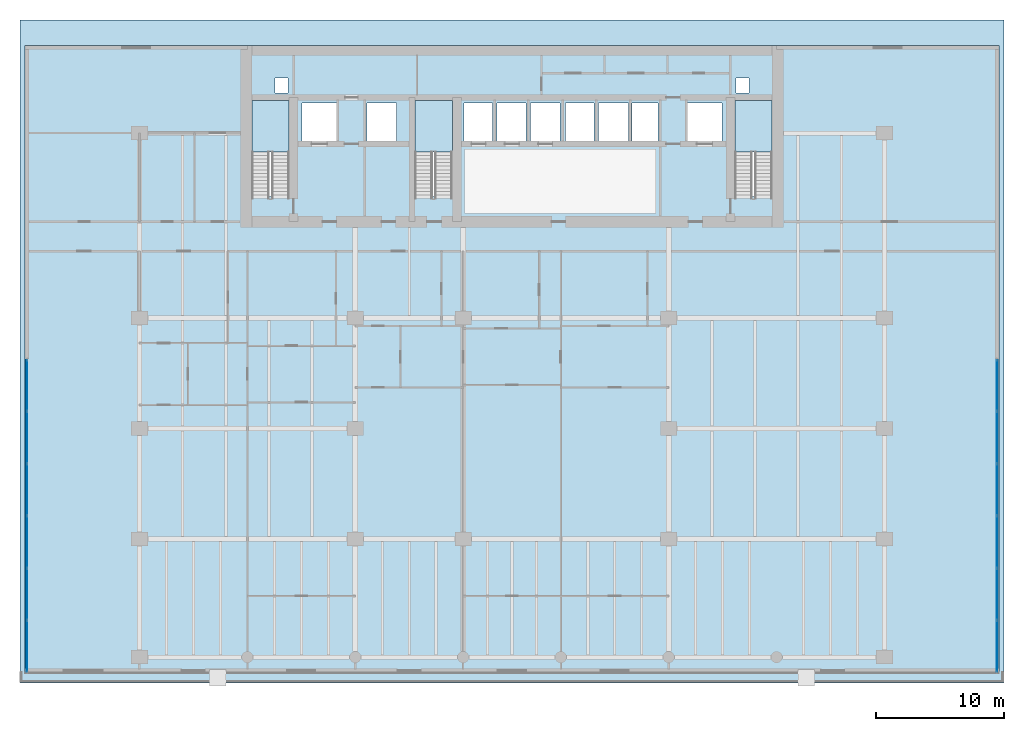
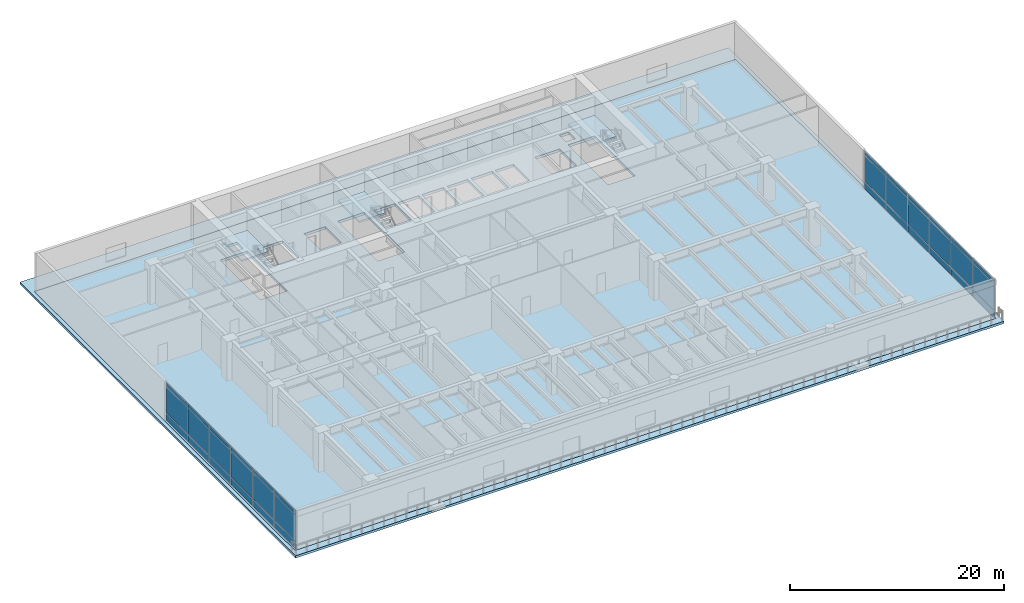
# One storey, part 5 of 14: 36 plates, 5 slabs, 5 elements without a shape of their own.
"""IFC4 building model written with IfcOpenShell, lengths in metres."""

import ifcopenshell
import ifcopenshell.guid

model = None  # the IFC model being written
_history = None  # IfcOwnerHistory: only IFC2X3 demands one
_inside = {}  # id of a spatial element -> (the spatial element, [elements in it])
_under = {}  # id of a project, library or spatial element -> (it, [spatial elements below it])
_declared = {}  # id of a project -> (the project, [libraries it declares])
_typed = {}  # id of a type object -> (the type object, [elements of that type])
_made_of = {}  # id of a material, layer set ... -> (it, [elements and type objects made of it])


def new_model(schema):
    """Start an empty IFC model of exactly this schema.

    Asked for "IFC4X3", IfcOpenShell would pick the latest addendum, in which some entities
    have other attributes; the version numbers below select the first issue.
    IFC2X3 requires an IfcOwnerHistory on every rooted entity: one is made here for all.
    """
    global model, _history
    if schema == "IFC4X3":
        model = ifcopenshell.file(schema_version=(4, 3, 0, 0))
    else:
        model = ifcopenshell.file(schema=schema)
    _inside.clear()
    _under.clear()
    _declared.clear()
    _typed.clear()
    _made_of.clear()
    _history = None
    if model.schema == "IFC2X3":
        org = make("IfcOrganization", Name="unknown")
        user = make(
            "IfcPersonAndOrganization",
            ThePerson=make("IfcPerson", FamilyName="unknown"),
            TheOrganization=org,
        )
        app = make(
            "IfcApplication",
            ApplicationDeveloper=org,
            Version="unknown",
            ApplicationFullName="unknown",
            ApplicationIdentifier="unknown",
        )
        _history = make(
            "IfcOwnerHistory",
            OwningUser=user,
            OwningApplication=app,
            ChangeAction="ADDED",
            CreationDate=0,
        )
    return model


def make(cls, **values):
    """One entity of the class cls with the attributes given. An attribute that is None is left unset."""
    return model.create_entity(
        cls, **{name: value for name, value in values.items() if value is not None}
    )


def rooted(cls, **values):
    """An entity with a GlobalId (a new one), such as an element, a storey or a relation."""
    return make(cls, GlobalId=ifcopenshell.guid.new(), OwnerHistory=_history, **values)


def si_unit(unit_type, name, prefix=None):
    """IfcSIUnit, for example si_unit("LENGTHUNIT", "METRE", prefix="MILLI")."""
    return make("IfcSIUnit", UnitType=unit_type, Prefix=prefix, Name=name)


def assignment(units):
    """IfcUnitAssignment: the units of a project."""
    return None if units is None else make("IfcUnitAssignment", Units=units)


def point(xyz):
    """IfcCartesianPoint."""
    return None if xyz is None else make("IfcCartesianPoint", Coordinates=xyz)


def direction(xyz):
    """IfcDirection."""
    return None if xyz is None else make("IfcDirection", DirectionRatios=xyz)


def frame(location, z_axis=None, x_axis=None):
    """IfcAxis2Placement3D, a coordinate frame: its origin and axes. An axis left out is left unset."""
    return make(
        "IfcAxis2Placement3D",
        Location=point(location),
        Axis=direction(z_axis),
        RefDirection=direction(x_axis),
    )


def frame_2d(location, x_axis=None):
    """IfcAxis2Placement2D, a coordinate frame in the plane: its origin and x axis."""
    return make(
        "IfcAxis2Placement2D", Location=point(location), RefDirection=direction(x_axis)
    )


def origin():
    """The frame at (0, 0, 0) with its axes left unset."""
    return frame((0.0, 0.0, 0.0))


def origin_2d():
    """The frame at (0, 0) in the plane with its x axis left unset."""
    return frame_2d((0.0, 0.0))


def place(relative_to, where):
    """IfcLocalPlacement: puts the frame where relative to a parent placement (None: the world)."""
    return make(
        "IfcLocalPlacement", PlacementRelTo=relative_to, RelativePlacement=where
    )


def context(
    kind, dimensions, precision=None, world=None, true_north=None, identifier=None
):
    """IfcGeometricRepresentationContext, for example the 3D "Model" context."""
    return make(
        "IfcGeometricRepresentationContext",
        ContextIdentifier=identifier,
        ContextType=kind,
        CoordinateSpaceDimension=dimensions,
        Precision=precision,
        WorldCoordinateSystem=world,
        TrueNorth=true_north,
    )


def subcontext(parent, identifier, kind, view, scale=None):
    """IfcGeometricRepresentationSubContext, for example "Body" below "Model"."""
    return make(
        "IfcGeometricRepresentationSubContext",
        ContextIdentifier=identifier,
        ContextType=kind,
        ParentContext=parent,
        TargetScale=scale,
        TargetView=view,
    )


def project(units=None, contexts=None):
    """IfcProject with its units and contexts."""
    return rooted(
        "IfcProject",
        Name="project",
        RepresentationContexts=contexts,
        UnitsInContext=assignment(units),
    )


def spatial(cls, under=None, at=None, **own):
    """A site, building, storey or space (cls), placed at a placement, below another one or the project."""
    s = rooted(cls, ObjectPlacement=at, **own)
    if under is not None:
        _under.setdefault(under.id(), (under, []))[1].append(s)
    return s


def polyline(points):
    """IfcPolyline through the points."""
    return make("IfcPolyline", Points=[point(p) for p in points])


def profile(cls, at=None, kind="AREA", **sizes):
    """A parametric profile (cls). Its sizes go by their IFC names, for example OverallWidth=200.0."""
    return make(cls, ProfileType=kind, Position=at, **sizes)


def rectangle(**sizes):
    """IfcRectangleProfileDef."""
    return profile("IfcRectangleProfileDef", **sizes)


def outline(outer, holes=None, kind="AREA"):
    """IfcArbitraryClosedProfileDef: a profile drawn as a closed curve; with holes, ...WithVoids."""
    if holes is None:
        return make("IfcArbitraryClosedProfileDef", ProfileType=kind, OuterCurve=outer)
    return make(
        "IfcArbitraryProfileDefWithVoids",
        ProfileType=kind,
        OuterCurve=outer,
        InnerCurves=holes,
    )


def extrude(swept, where, along, depth):
    """IfcExtrudedAreaSolid: the profile swept, set in the frame where, extruded along a direction by depth."""
    return make(
        "IfcExtrudedAreaSolid",
        SweptArea=swept,
        Position=where,
        ExtrudedDirection=direction(along),
        Depth=depth,
    )


def shape(context_of_items, identifier, shape_type, items):
    """IfcShapeRepresentation: the items that make up one representation, for example the "Body"."""
    return make(
        "IfcShapeRepresentation",
        ContextOfItems=context_of_items,
        RepresentationIdentifier=identifier,
        RepresentationType=shape_type,
        Items=items,
    )


def material(Name=None, Category=None):
    """IfcMaterial."""
    return make("IfcMaterial", Name=Name, Category=Category)


def layer(
    of_material, thickness, ventilated=None, Name=None, Category=None, Priority=None
):
    """IfcMaterialLayer: one layer of a wall or slab, of a material (None: an air gap)."""
    return make(
        "IfcMaterialLayer",
        Material=of_material,
        LayerThickness=thickness,
        IsVentilated=ventilated,
        Name=Name,
        Category=Category,
        Priority=Priority,
    )


def layer_set(layers, Name=None):
    """IfcMaterialLayerSet."""
    return make("IfcMaterialLayerSet", MaterialLayers=layers, LayerSetName=Name)


def made_of(thing, what):
    """Note that an element or type object is made of a material, layer set ...; save() writes the relation."""
    if what is not None:
        _made_of.setdefault(what.id(), (what, []))[1].append(thing)
    return thing


def type_object(cls, material=None, **own):
    """A type object (cls), such as IfcWallType, which elements share."""
    return made_of(rooted(cls, **own), material)


def element(
    cls,
    number,
    at=None,
    inside=None,
    cuts=None,
    type_object=None,
    material=None,
    context=None,
    identifier="Body",
    shape_type=None,
    held_by="IfcProductDefinitionShape",
    body=None,
    shapes=None,
    **own,
):
    """One element of the class cls, such as IfcWall. Its Tag is "e" and its number.

    at: its placement. inside: the storey or other place that contains it. cuts: it is an
    opening in that element (IfcRelVoidsElement). A single representation is given by context,
    identifier, shape_type and body (its items); several are given by shapes. held_by: the class
    of the entity that holds the representations. save() writes the other relations.
    """
    e = rooted(cls, Tag="e%d" % number, ObjectPlacement=at, **own)
    if body is not None:
        shapes = [shape(context, identifier, shape_type, body)]
    if shapes is not None:
        e.Representation = make(held_by, Representations=shapes)
    if inside is not None:
        _inside.setdefault(inside.id(), (inside, []))[1].append(e)
    if cuts is not None:
        rooted(
            "IfcRelVoidsElement", RelatingBuildingElement=cuts, RelatedOpeningElement=e
        )
    if type_object is not None:
        _typed.setdefault(type_object.id(), (type_object, []))[1].append(e)
    return made_of(e, material)


def aggregate(whole, parts):
    """IfcRelAggregates: a whole, such as a stair, and the parts it consists of."""
    return rooted("IfcRelAggregates", RelatingObject=whole, RelatedObjects=parts)


def save(model, path):
    """Write the relations noted so far, then the file.

    IfcRelAggregates (storeys below a building ...), IfcRelContainedInSpatialStructure (elements
    in a storey), IfcRelDefinesByType, IfcRelAssociatesMaterial and IfcRelDeclares: one each for
    every whole, place, type object, material and project.
    """
    for whole, parts in _under.values():
        aggregate(whole, parts)
    for where, things in _inside.values():
        rooted(
            "IfcRelContainedInSpatialStructure",
            RelatedElements=things,
            RelatingStructure=where,
        )
    for kind, things in _typed.values():
        rooted("IfcRelDefinesByType", RelatedObjects=things, RelatingType=kind)
    for what, things in _made_of.values():
        rooted("IfcRelAssociatesMaterial", RelatedObjects=things, RelatingMaterial=what)
    for by, libraries in _declared.values():
        rooted("IfcRelDeclares", RelatingContext=by, RelatedDefinitions=libraries)
    model.write(path)


model = new_model("IFC4")

# Units and contexts
model_context = context("Model", 3, precision=1e-05, world=origin(), true_north=direction((0.0, 1.0)))
body_context = subcontext(model_context, "Body", "Model", "MODEL_VIEW")
ifc_project = project(units=[si_unit("LENGTHUNIT", "METRE"), si_unit("AREAUNIT", "SQUARE_METRE"), si_unit("VOLUMEUNIT", "CUBIC_METRE"), si_unit("PLANEANGLEUNIT", "RADIAN"), si_unit("MASSUNIT", "GRAM", prefix="KILO")], contexts=[model_context])

# Site, building, storey
site_placement = place(None, origin())
site = spatial("IfcSite", under=ifc_project, at=site_placement, CompositionType="ELEMENT")
building_placement = place(site_placement, origin())
building = spatial("IfcBuilding", under=site, at=building_placement, Name="Caelmar Bay Residences", CompositionType="ELEMENT")
storey_placement = place(building_placement, frame((0.0, 0.0, 15.0)))
storey = spatial("IfcBuildingStorey", under=building, at=storey_placement, Name="L03", CompositionType="ELEMENT", Elevation=15.0)

# Curtain wall, plates
ifc_material_1 = material(Name="Anodised bronze aluminium 6063-T6 and laminated glass", Category="aluminium")
ifc_layer_1 = layer(ifc_material_1, 0.179931640625)
ifc_layer_set_1 = layer_set([ifc_layer_1], Name="Anodised bronze aluminium 6063-T6 and laminated glass")
curtain_wall_type = type_object("IfcCurtainWallType", Name="CW1-POD", PredefinedType="NOTDEFINED", material=ifc_layer_set_1)
curtain_wall_1_placement = place(storey_placement, origin())
curtain_wall_1 = element("IfcCurtainWall", 1, at=curtain_wall_1_placement, inside=storey, type_object=curtain_wall_type, Name="CW1 curtain wall L03", PredefinedType="NOTDEFINED")
ifc_material_2 = material(Name="Bronze-tinted laminated low-E hurricane glass 32 mm", Category="glass")
ifc_layer_2 = layer(ifc_material_2, 0.031982421875)
ifc_layer_set_2 = layer_set([ifc_layer_2], Name="Bronze-tinted laminated low-E hurricane glass 32 mm")
plate_type = type_object("IfcPlateType", Name="CWP-GLZ32", PredefinedType="CURTAIN_PANEL", material=ifc_layer_set_2)
plate_1_placement = place(storey_placement, frame((1.14990234375, 3.853271484375, 0.080078125), z_axis=(0.0, 0.0, 1.0), x_axis=(0.0, 1.0, 0.0)))
plate_1 = element("IfcPlate", 2, at=plate_1_placement, type_object=plate_type, Name="CW1 panel 1.1", PredefinedType="CURTAIN_PANEL", context=body_context, shape_type="SweptSolid", body=[
    extrude(rectangle(XDim=3.94677734375, YDim=0.031982421875, at=origin_2d()), origin(), (0.0, 0.0, 1.0), 0.780029296875),
])
plate_2_placement = place(storey_placement, frame((1.14990234375, 3.853271484375, 0.93994140625), z_axis=(0.0, 0.0, 1.0), x_axis=(0.0, 1.0, 0.0)))
plate_2 = element("IfcPlate", 3, at=plate_2_placement, type_object=plate_type, Name="CW1 panel 1.2", PredefinedType="CURTAIN_PANEL", context=body_context, shape_type="SweptSolid", body=[
    extrude(rectangle(XDim=3.94677734375, YDim=0.031982421875, at=origin_2d()), origin(), (0.0, 0.0, 1.0), 2.969970703125),
])
plate_3_placement = place(storey_placement, frame((1.14990234375, 3.853271484375, 3.990234375), z_axis=(0.0, 0.0, 1.0), x_axis=(0.0, 1.0, 0.0)))
plate_3 = element("IfcPlate", 4, at=plate_3_placement, type_object=plate_type, Name="CW1 panel 1.3", PredefinedType="CURTAIN_PANEL", context=body_context, shape_type="SweptSolid", body=[
    extrude(rectangle(XDim=3.94677734375, YDim=0.031982421875, at=origin_2d()), origin(), (0.0, 0.0, 1.0), 0.429931640625),
])
plate_4_placement = place(storey_placement, frame((1.14990234375, 7.89990234375, 0.080078125), z_axis=(0.0, 0.0, 1.0), x_axis=(0.0, 1.0, 0.0)))
plate_4 = element("IfcPlate", 5, at=plate_4_placement, type_object=plate_type, Name="CW1 panel 2.1", PredefinedType="CURTAIN_PANEL", context=body_context, shape_type="SweptSolid", body=[
    extrude(rectangle(XDim=3.986572265625, YDim=0.031982421875, at=origin_2d()), origin(), (0.0, 0.0, 1.0), 0.780029296875),
])
plate_5_placement = place(storey_placement, frame((1.14990234375, 7.89990234375, 0.93994140625), z_axis=(0.0, 0.0, 1.0), x_axis=(0.0, 1.0, 0.0)))
plate_5 = element("IfcPlate", 6, at=plate_5_placement, type_object=plate_type, Name="CW1 panel 2.2", PredefinedType="CURTAIN_PANEL", context=body_context, shape_type="SweptSolid", body=[
    extrude(rectangle(XDim=3.986572265625, YDim=0.031982421875, at=origin_2d()), origin(), (0.0, 0.0, 1.0), 2.969970703125),
])
plate_6_placement = place(storey_placement, frame((1.14990234375, 7.89990234375, 3.990234375), z_axis=(0.0, 0.0, 1.0), x_axis=(0.0, 1.0, 0.0)))
plate_6 = element("IfcPlate", 7, at=plate_6_placement, type_object=plate_type, Name="CW1 panel 2.3", PredefinedType="CURTAIN_PANEL", context=body_context, shape_type="SweptSolid", body=[
    extrude(rectangle(XDim=3.986572265625, YDim=0.031982421875, at=origin_2d()), origin(), (0.0, 0.0, 1.0), 0.429931640625),
])
plate_7_placement = place(storey_placement, frame((1.14990234375, 11.966552734375, 0.080078125), z_axis=(0.0, 0.0, 1.0), x_axis=(0.0, 1.0, 0.0)))
plate_7 = element("IfcPlate", 8, at=plate_7_placement, type_object=plate_type, Name="CW1 panel 3.1", PredefinedType="CURTAIN_PANEL", context=body_context, shape_type="SweptSolid", body=[
    extrude(rectangle(XDim=3.986572265625, YDim=0.031982421875, at=origin_2d()), origin(), (0.0, 0.0, 1.0), 0.780029296875),
])
plate_8_placement = place(storey_placement, frame((1.14990234375, 11.966552734375, 0.93994140625), z_axis=(0.0, 0.0, 1.0), x_axis=(0.0, 1.0, 0.0)))
plate_8 = element("IfcPlate", 9, at=plate_8_placement, type_object=plate_type, Name="CW1 panel 3.2", PredefinedType="CURTAIN_PANEL", context=body_context, shape_type="SweptSolid", body=[
    extrude(rectangle(XDim=3.986572265625, YDim=0.031982421875, at=origin_2d()), origin(), (0.0, 0.0, 1.0), 2.969970703125),
])
plate_9_placement = place(storey_placement, frame((1.14990234375, 11.966552734375, 3.990234375), z_axis=(0.0, 0.0, 1.0), x_axis=(0.0, 1.0, 0.0)))
plate_9 = element("IfcPlate", 10, at=plate_9_placement, type_object=plate_type, Name="CW1 panel 3.3", PredefinedType="CURTAIN_PANEL", context=body_context, shape_type="SweptSolid", body=[
    extrude(rectangle(XDim=3.986572265625, YDim=0.031982421875, at=origin_2d()), origin(), (0.0, 0.0, 1.0), 0.429931640625),
])
plate_10_placement = place(storey_placement, frame((1.14990234375, 16.033447265625, 0.080078125), z_axis=(0.0, 0.0, 1.0), x_axis=(0.0, 1.0, 0.0)))
plate_10 = element("IfcPlate", 11, at=plate_10_placement, type_object=plate_type, Name="CW1 panel 4.1", PredefinedType="CURTAIN_PANEL", context=body_context, shape_type="SweptSolid", body=[
    extrude(rectangle(XDim=3.986572265625, YDim=0.031982421875, at=origin_2d()), origin(), (0.0, 0.0, 1.0), 0.780029296875),
])
plate_11_placement = place(storey_placement, frame((1.14990234375, 16.033447265625, 0.93994140625), z_axis=(0.0, 0.0, 1.0), x_axis=(0.0, 1.0, 0.0)))
plate_11 = element("IfcPlate", 12, at=plate_11_placement, type_object=plate_type, Name="CW1 panel 4.2", PredefinedType="CURTAIN_PANEL", context=body_context, shape_type="SweptSolid", body=[
    extrude(rectangle(XDim=3.986572265625, YDim=0.031982421875, at=origin_2d()), origin(), (0.0, 0.0, 1.0), 2.969970703125),
])
plate_12_placement = place(storey_placement, frame((1.14990234375, 16.033447265625, 3.990234375), z_axis=(0.0, 0.0, 1.0), x_axis=(0.0, 1.0, 0.0)))
plate_12 = element("IfcPlate", 13, at=plate_12_placement, type_object=plate_type, Name="CW1 panel 4.3", PredefinedType="CURTAIN_PANEL", context=body_context, shape_type="SweptSolid", body=[
    extrude(rectangle(XDim=3.986572265625, YDim=0.031982421875, at=origin_2d()), origin(), (0.0, 0.0, 1.0), 0.429931640625),
])
plate_13_placement = place(storey_placement, frame((1.14990234375, 20.10009765625, 0.080078125), z_axis=(0.0, 0.0, 1.0), x_axis=(0.0, 1.0, 0.0)))
plate_13 = element("IfcPlate", 14, at=plate_13_placement, type_object=plate_type, Name="CW1 panel 5.1", PredefinedType="CURTAIN_PANEL", context=body_context, shape_type="SweptSolid", body=[
    extrude(rectangle(XDim=3.986572265625, YDim=0.031982421875, at=origin_2d()), origin(), (0.0, 0.0, 1.0), 0.780029296875),
])
plate_14_placement = place(storey_placement, frame((1.14990234375, 20.10009765625, 0.93994140625), z_axis=(0.0, 0.0, 1.0), x_axis=(0.0, 1.0, 0.0)))
plate_14 = element("IfcPlate", 15, at=plate_14_placement, type_object=plate_type, Name="CW1 panel 5.2", PredefinedType="CURTAIN_PANEL", context=body_context, shape_type="SweptSolid", body=[
    extrude(rectangle(XDim=3.986572265625, YDim=0.031982421875, at=origin_2d()), origin(), (0.0, 0.0, 1.0), 2.969970703125),
])
plate_15_placement = place(storey_placement, frame((1.14990234375, 20.10009765625, 3.990234375), z_axis=(0.0, 0.0, 1.0), x_axis=(0.0, 1.0, 0.0)))
plate_15 = element("IfcPlate", 16, at=plate_15_placement, type_object=plate_type, Name="CW1 panel 5.3", PredefinedType="CURTAIN_PANEL", context=body_context, shape_type="SweptSolid", body=[
    extrude(rectangle(XDim=3.986572265625, YDim=0.031982421875, at=origin_2d()), origin(), (0.0, 0.0, 1.0), 0.429931640625),
])
plate_16_placement = place(storey_placement, frame((1.14990234375, 24.146728515625, 0.080078125), z_axis=(0.0, 0.0, 1.0), x_axis=(0.0, 1.0, 0.0)))
plate_16 = element("IfcPlate", 17, at=plate_16_placement, type_object=plate_type, Name="CW1 panel 6.1", PredefinedType="CURTAIN_PANEL", context=body_context, shape_type="SweptSolid", body=[
    extrude(rectangle(XDim=3.94677734375, YDim=0.031982421875, at=origin_2d()), origin(), (0.0, 0.0, 1.0), 0.780029296875),
])
plate_17_placement = place(storey_placement, frame((1.14990234375, 24.146728515625, 0.93994140625), z_axis=(0.0, 0.0, 1.0), x_axis=(0.0, 1.0, 0.0)))
plate_17 = element("IfcPlate", 18, at=plate_17_placement, type_object=plate_type, Name="CW1 panel 6.2", PredefinedType="CURTAIN_PANEL", context=body_context, shape_type="SweptSolid", body=[
    extrude(rectangle(XDim=3.94677734375, YDim=0.031982421875, at=origin_2d()), origin(), (0.0, 0.0, 1.0), 2.969970703125),
])
plate_18_placement = place(storey_placement, frame((1.14990234375, 24.146728515625, 3.990234375), z_axis=(0.0, 0.0, 1.0), x_axis=(0.0, 1.0, 0.0)))
plate_18 = element("IfcPlate", 19, at=plate_18_placement, type_object=plate_type, Name="CW1 panel 6.3", PredefinedType="CURTAIN_PANEL", context=body_context, shape_type="SweptSolid", body=[
    extrude(rectangle(XDim=3.94677734375, YDim=0.031982421875, at=origin_2d()), origin(), (0.0, 0.0, 1.0), 0.429931640625),
])
aggregate(curtain_wall_1, [plate_1, plate_2, plate_3, plate_4, plate_5, plate_6, plate_7, plate_8, plate_9, plate_10, plate_11, plate_12, plate_13, plate_14, plate_15, plate_16, plate_17, plate_18])

curtain_wall_2_placement = place(storey_placement, origin())
curtain_wall_2 = element("IfcCurtainWall", 20, at=curtain_wall_2_placement, inside=storey, type_object=curtain_wall_type, Name="CW1 curtain wall L03", PredefinedType="NOTDEFINED")
plate_19_placement = place(storey_placement, frame((76.64990234375, 24.146728515625, 0.080078125), z_axis=(0.0, 0.0, 1.0), x_axis=(0.0, -1.0, 0.0)))
plate_19 = element("IfcPlate", 21, at=plate_19_placement, type_object=plate_type, Name="CW1 panel 1.1", PredefinedType="CURTAIN_PANEL", context=body_context, shape_type="SweptSolid", body=[
    extrude(rectangle(XDim=3.94677734375, YDim=0.031982421875, at=origin_2d()), origin(), (0.0, 0.0, 1.0), 0.780029296875),
])
plate_20_placement = place(storey_placement, frame((76.64990234375, 24.146728515625, 0.93994140625), z_axis=(0.0, 0.0, 1.0), x_axis=(0.0, -1.0, 0.0)))
plate_20 = element("IfcPlate", 22, at=plate_20_placement, type_object=plate_type, Name="CW1 panel 1.2", PredefinedType="CURTAIN_PANEL", context=body_context, shape_type="SweptSolid", body=[
    extrude(rectangle(XDim=3.94677734375, YDim=0.031982421875, at=origin_2d()), origin(), (0.0, 0.0, 1.0), 2.969970703125),
])
plate_21_placement = place(storey_placement, frame((76.64990234375, 24.146728515625, 3.990234375), z_axis=(0.0, 0.0, 1.0), x_axis=(0.0, -1.0, 0.0)))
plate_21 = element("IfcPlate", 23, at=plate_21_placement, type_object=plate_type, Name="CW1 panel 1.3", PredefinedType="CURTAIN_PANEL", context=body_context, shape_type="SweptSolid", body=[
    extrude(rectangle(XDim=3.94677734375, YDim=0.031982421875, at=origin_2d()), origin(), (0.0, 0.0, 1.0), 0.429931640625),
])
plate_22_placement = place(storey_placement, frame((76.64990234375, 20.10009765625, 0.080078125), z_axis=(0.0, 0.0, 1.0), x_axis=(0.0, -1.0, 0.0)))
plate_22 = element("IfcPlate", 24, at=plate_22_placement, type_object=plate_type, Name="CW1 panel 2.1", PredefinedType="CURTAIN_PANEL", context=body_context, shape_type="SweptSolid", body=[
    extrude(rectangle(XDim=3.986572265625, YDim=0.031982421875, at=origin_2d()), origin(), (0.0, 0.0, 1.0), 0.780029296875),
])
plate_23_placement = place(storey_placement, frame((76.64990234375, 20.10009765625, 0.93994140625), z_axis=(0.0, 0.0, 1.0), x_axis=(0.0, -1.0, 0.0)))
plate_23 = element("IfcPlate", 25, at=plate_23_placement, type_object=plate_type, Name="CW1 panel 2.2", PredefinedType="CURTAIN_PANEL", context=body_context, shape_type="SweptSolid", body=[
    extrude(rectangle(XDim=3.986572265625, YDim=0.031982421875, at=origin_2d()), origin(), (0.0, 0.0, 1.0), 2.969970703125),
])
plate_24_placement = place(storey_placement, frame((76.64990234375, 20.10009765625, 3.990234375), z_axis=(0.0, 0.0, 1.0), x_axis=(0.0, -1.0, 0.0)))
plate_24 = element("IfcPlate", 26, at=plate_24_placement, type_object=plate_type, Name="CW1 panel 2.3", PredefinedType="CURTAIN_PANEL", context=body_context, shape_type="SweptSolid", body=[
    extrude(rectangle(XDim=3.986572265625, YDim=0.031982421875, at=origin_2d()), origin(), (0.0, 0.0, 1.0), 0.429931640625),
])
plate_25_placement = place(storey_placement, frame((76.64990234375, 16.033447265625, 0.080078125), z_axis=(0.0, 0.0, 1.0), x_axis=(0.0, -1.0, 0.0)))
plate_25 = element("IfcPlate", 27, at=plate_25_placement, type_object=plate_type, Name="CW1 panel 3.1", PredefinedType="CURTAIN_PANEL", context=body_context, shape_type="SweptSolid", body=[
    extrude(rectangle(XDim=3.986572265625, YDim=0.031982421875, at=origin_2d()), origin(), (0.0, 0.0, 1.0), 0.780029296875),
])
plate_26_placement = place(storey_placement, frame((76.64990234375, 16.033447265625, 0.93994140625), z_axis=(0.0, 0.0, 1.0), x_axis=(0.0, -1.0, 0.0)))
plate_26 = element("IfcPlate", 28, at=plate_26_placement, type_object=plate_type, Name="CW1 panel 3.2", PredefinedType="CURTAIN_PANEL", context=body_context, shape_type="SweptSolid", body=[
    extrude(rectangle(XDim=3.986572265625, YDim=0.031982421875, at=origin_2d()), origin(), (0.0, 0.0, 1.0), 2.969970703125),
])
plate_27_placement = place(storey_placement, frame((76.64990234375, 16.033447265625, 3.990234375), z_axis=(0.0, 0.0, 1.0), x_axis=(0.0, -1.0, 0.0)))
plate_27 = element("IfcPlate", 29, at=plate_27_placement, type_object=plate_type, Name="CW1 panel 3.3", PredefinedType="CURTAIN_PANEL", context=body_context, shape_type="SweptSolid", body=[
    extrude(rectangle(XDim=3.986572265625, YDim=0.031982421875, at=origin_2d()), origin(), (0.0, 0.0, 1.0), 0.429931640625),
])
plate_28_placement = place(storey_placement, frame((76.64990234375, 11.966552734375, 0.080078125), z_axis=(0.0, 0.0, 1.0), x_axis=(0.0, -1.0, 0.0)))
plate_28 = element("IfcPlate", 30, at=plate_28_placement, type_object=plate_type, Name="CW1 panel 4.1", PredefinedType="CURTAIN_PANEL", context=body_context, shape_type="SweptSolid", body=[
    extrude(rectangle(XDim=3.986572265625, YDim=0.031982421875, at=origin_2d()), origin(), (0.0, 0.0, 1.0), 0.780029296875),
])
plate_29_placement = place(storey_placement, frame((76.64990234375, 11.966552734375, 0.93994140625), z_axis=(0.0, 0.0, 1.0), x_axis=(0.0, -1.0, 0.0)))
plate_29 = element("IfcPlate", 31, at=plate_29_placement, type_object=plate_type, Name="CW1 panel 4.2", PredefinedType="CURTAIN_PANEL", context=body_context, shape_type="SweptSolid", body=[
    extrude(rectangle(XDim=3.986572265625, YDim=0.031982421875, at=origin_2d()), origin(), (0.0, 0.0, 1.0), 2.969970703125),
])
plate_30_placement = place(storey_placement, frame((76.64990234375, 11.966552734375, 3.990234375), z_axis=(0.0, 0.0, 1.0), x_axis=(0.0, -1.0, 0.0)))
plate_30 = element("IfcPlate", 32, at=plate_30_placement, type_object=plate_type, Name="CW1 panel 4.3", PredefinedType="CURTAIN_PANEL", context=body_context, shape_type="SweptSolid", body=[
    extrude(rectangle(XDim=3.986572265625, YDim=0.031982421875, at=origin_2d()), origin(), (0.0, 0.0, 1.0), 0.429931640625),
])
plate_31_placement = place(storey_placement, frame((76.64990234375, 7.89990234375, 0.080078125), z_axis=(0.0, 0.0, 1.0), x_axis=(0.0, -1.0, 0.0)))
plate_31 = element("IfcPlate", 33, at=plate_31_placement, type_object=plate_type, Name="CW1 panel 5.1", PredefinedType="CURTAIN_PANEL", context=body_context, shape_type="SweptSolid", body=[
    extrude(rectangle(XDim=3.986572265625, YDim=0.031982421875, at=origin_2d()), origin(), (0.0, 0.0, 1.0), 0.780029296875),
])
plate_32_placement = place(storey_placement, frame((76.64990234375, 7.89990234375, 0.93994140625), z_axis=(0.0, 0.0, 1.0), x_axis=(0.0, -1.0, 0.0)))
plate_32 = element("IfcPlate", 34, at=plate_32_placement, type_object=plate_type, Name="CW1 panel 5.2", PredefinedType="CURTAIN_PANEL", context=body_context, shape_type="SweptSolid", body=[
    extrude(rectangle(XDim=3.986572265625, YDim=0.031982421875, at=origin_2d()), origin(), (0.0, 0.0, 1.0), 2.969970703125),
])
plate_33_placement = place(storey_placement, frame((76.64990234375, 7.89990234375, 3.990234375), z_axis=(0.0, 0.0, 1.0), x_axis=(0.0, -1.0, 0.0)))
plate_33 = element("IfcPlate", 35, at=plate_33_placement, type_object=plate_type, Name="CW1 panel 5.3", PredefinedType="CURTAIN_PANEL", context=body_context, shape_type="SweptSolid", body=[
    extrude(rectangle(XDim=3.986572265625, YDim=0.031982421875, at=origin_2d()), origin(), (0.0, 0.0, 1.0), 0.429931640625),
])
plate_34_placement = place(storey_placement, frame((76.64990234375, 3.853271484375, 0.080078125), z_axis=(0.0, 0.0, 1.0), x_axis=(0.0, -1.0, 0.0)))
plate_34 = element("IfcPlate", 36, at=plate_34_placement, type_object=plate_type, Name="CW1 panel 6.1", PredefinedType="CURTAIN_PANEL", context=body_context, shape_type="SweptSolid", body=[
    extrude(rectangle(XDim=3.94677734375, YDim=0.031982421875, at=origin_2d()), origin(), (0.0, 0.0, 1.0), 0.780029296875),
])
plate_35_placement = place(storey_placement, frame((76.64990234375, 3.853271484375, 0.93994140625), z_axis=(0.0, 0.0, 1.0), x_axis=(0.0, -1.0, 0.0)))
plate_35 = element("IfcPlate", 37, at=plate_35_placement, type_object=plate_type, Name="CW1 panel 6.2", PredefinedType="CURTAIN_PANEL", context=body_context, shape_type="SweptSolid", body=[
    extrude(rectangle(XDim=3.94677734375, YDim=0.031982421875, at=origin_2d()), origin(), (0.0, 0.0, 1.0), 2.969970703125),
])
plate_36_placement = place(storey_placement, frame((76.64990234375, 3.853271484375, 3.990234375), z_axis=(0.0, 0.0, 1.0), x_axis=(0.0, -1.0, 0.0)))
plate_36 = element("IfcPlate", 38, at=plate_36_placement, type_object=plate_type, Name="CW1 panel 6.3", PredefinedType="CURTAIN_PANEL", context=body_context, shape_type="SweptSolid", body=[
    extrude(rectangle(XDim=3.94677734375, YDim=0.031982421875, at=origin_2d()), origin(), (0.0, 0.0, 1.0), 0.429931640625),
])
aggregate(curtain_wall_2, [plate_19, plate_20, plate_21, plate_22, plate_23, plate_24, plate_25, plate_26, plate_27, plate_28, plate_29, plate_30, plate_31, plate_32, plate_33, plate_34, plate_35, plate_36])

# Stair, slab
ifc_material_3 = material(Name="Concrete f'c 40 MPa (6,000 psi)", Category="concrete")
stair_type = type_object("IfcStairType", Name="ST-TAL-170", PredefinedType="HALF_TURN_STAIR", material=ifc_material_3)
stair_1_placement = place(storey_placement, origin())
stair_1 = element("IfcStair", 39, at=stair_1_placement, inside=storey, type_object=stair_type, Name="L03 West Smokeproof Exit Stair ST1", PredefinedType="HALF_TURN_STAIR")
ifc_layer_3 = layer(ifc_material_3, 0.199951171875)
ifc_layer_set_3 = layer_set([ifc_layer_3], Name="Concrete f'c 40 MPa (6,000 psi)")
slab_type_1 = type_object("IfcSlabType", Name="SLB-LND-200", PredefinedType="LANDING", material=ifc_layer_set_3)
slab_1_placement = place(storey_placement, frame((0.0, 0.0, 2.199951171875)))
slab_1 = element("IfcSlab", 40, at=slab_1_placement, type_object=slab_type_1, Name="ST1 landing 1", PredefinedType="LANDING", context=body_context, shape_type="SweptSolid", body=[
    extrude(outline(polyline([(21.550048828125, 42.340087890625), (21.550048828125, 46.35009765625), (18.64990234375, 46.35009765625), (18.64990234375, 42.340087890625), (21.550048828125, 42.340087890625)])), origin(), (0.0, 0.0, 1.0), 0.199951171875),
])
aggregate(stair_1, [slab_1])

stair_2_placement = place(storey_placement, origin())
stair_2 = element("IfcStair", 41, at=stair_2_placement, inside=storey, type_object=stair_type, Name="L03 East Smokeproof Exit Stair ST2", PredefinedType="HALF_TURN_STAIR")
slab_2_placement = place(storey_placement, frame((0.0, 0.0, 2.199951171875)))
slab_2 = element("IfcSlab", 42, at=slab_2_placement, type_object=slab_type_1, Name="ST2 landing 1", PredefinedType="LANDING", context=body_context, shape_type="SweptSolid", body=[
    extrude(outline(polyline([(59.14990234375, 42.340087890625), (59.14990234375, 46.35009765625), (56.25, 46.35009765625), (56.25, 42.340087890625), (59.14990234375, 42.340087890625)])), origin(), (0.0, 0.0, 1.0), 0.199951171875),
])
aggregate(stair_2, [slab_2])

stair_3_placement = place(storey_placement, origin())
stair_3 = element("IfcStair", 43, at=stair_3_placement, inside=storey, type_object=stair_type, Name="L03 Central Smokeproof Exit Stair ST3", PredefinedType="HALF_TURN_STAIR")
slab_3_placement = place(storey_placement, frame((0.0, 0.0, 2.199951171875)))
slab_3 = element("IfcSlab", 44, at=slab_3_placement, type_object=slab_type_1, Name="ST3 landing 1", PredefinedType="LANDING", context=body_context, shape_type="SweptSolid", body=[
    extrude(outline(polyline([(34.25, 42.340087890625), (34.25, 46.35009765625), (31.35009765625, 46.35009765625), (31.35009765625, 42.340087890625), (34.25, 42.340087890625)])), origin(), (0.0, 0.0, 1.0), 0.199951171875),
])
aggregate(stair_3, [slab_3])

# Slabs
ifc_layer_4 = layer(ifc_material_3, 0.300048828125)
ifc_layer_set_4 = layer_set([ifc_layer_4], Name="Concrete f'c 40 MPa (6,000 psi)")
slab_type_2 = type_object("IfcSlabType", Name="SLB-POD-300", PredefinedType="FLOOR", material=ifc_layer_set_4)
slab_4_placement = place(storey_placement, frame((0.0, 0.0, -0.300048828125)))
element("IfcSlab", 45, at=slab_4_placement, inside=storey, type_object=slab_type_2, Name="L03 Structural Floor Slab", PredefinedType="FLOOR", context=body_context, shape_type="SweptSolid", body=[
    extrude(outline(polyline([(1.0, 1.800048828125), (76.800048828125, 1.800048828125), (76.800048828125, 50.60009765625), (1.0, 50.60009765625), (1.0, 1.800048828125)]), holes=[polyline([(18.64990234375, 38.85009765625), (21.550048828125, 38.85009765625), (21.550048828125, 46.35009765625), (18.64990234375, 46.35009765625), (18.64990234375, 38.85009765625)]), polyline([(56.25, 38.85009765625), (59.14990234375, 38.85009765625), (59.14990234375, 46.35009765625), (56.25, 46.35009765625), (56.25, 38.85009765625)]), polyline([(31.35009765625, 38.85009765625), (34.25, 38.85009765625), (34.25, 46.35009765625), (31.35009765625, 46.35009765625), (31.35009765625, 38.85009765625)]), polyline([(22.550048828125, 43.050048828125), (25.25, 43.050048828125), (25.25, 46.14990234375), (22.550048828125, 46.14990234375), (22.550048828125, 43.050048828125)]), polyline([(52.550048828125, 43.050048828125), (55.25, 43.050048828125), (55.25, 46.14990234375), (52.550048828125, 46.14990234375), (52.550048828125, 43.050048828125)]), polyline([(35.14990234375, 43.14990234375), (37.39990234375, 43.14990234375), (37.39990234375, 46.14990234375), (35.14990234375, 46.14990234375), (35.14990234375, 43.14990234375)]), polyline([(37.75, 43.14990234375), (40.0, 43.14990234375), (40.0, 46.14990234375), (37.75, 46.14990234375), (37.75, 43.14990234375)]), polyline([(40.35009765625, 43.14990234375), (42.64990234375, 43.14990234375), (42.64990234375, 46.14990234375), (40.35009765625, 46.14990234375), (40.35009765625, 43.14990234375)]), polyline([(43.050048828125, 43.14990234375), (45.300048828125, 43.14990234375), (45.300048828125, 46.14990234375), (43.050048828125, 46.14990234375), (43.050048828125, 43.14990234375)]), polyline([(45.64990234375, 43.14990234375), (47.949951171875, 43.14990234375), (47.949951171875, 46.14990234375), (45.64990234375, 46.14990234375), (45.64990234375, 43.14990234375)]), polyline([(48.25, 43.14990234375), (50.25, 43.14990234375), (50.25, 46.14990234375), (48.25, 46.14990234375), (48.25, 43.14990234375)]), polyline([(27.60009765625, 43.14990234375), (29.89990234375, 43.14990234375), (29.89990234375, 46.14990234375), (27.60009765625, 46.14990234375), (27.60009765625, 43.14990234375)]), polyline([(20.449951171875, 46.89990234375), (21.449951171875, 46.89990234375), (21.449951171875, 48.10009765625), (20.449951171875, 48.10009765625), (20.449951171875, 46.89990234375)]), polyline([(56.35009765625, 46.89990234375), (57.35009765625, 46.89990234375), (57.35009765625, 48.10009765625), (56.35009765625, 48.10009765625), (56.35009765625, 46.89990234375)])]), origin(), (0.0, 0.0, 1.0), 0.300048828125),
])
ifc_layer_5 = layer(ifc_material_3, 0.260009765625)
ifc_layer_set_5 = layer_set([ifc_layer_5], Name="Concrete f'c 40 MPa (6,000 psi)")
slab_type_3 = type_object("IfcSlabType", Name="SLB-TER-260", PredefinedType="ROOF", material=ifc_layer_set_5)
slab_5_placement = place(storey_placement, frame((0.0, 0.0, -0.260009765625)))
element("IfcSlab", 46, at=slab_5_placement, inside=storey, type_object=slab_type_3, Name="L03 Exterior Stepped Terrace Roof Slab 1", PredefinedType="ROOF", context=body_context, shape_type="SweptSolid", body=[
    extrude(outline(polyline([(0.60009765625, 1.0), (77.199951171875, 1.0), (77.199951171875, 52.60009765625), (0.60009765625, 52.60009765625), (0.60009765625, 1.0)]), holes=[polyline([(1.0, 1.800048828125), (1.0, 50.60009765625), (76.800048828125, 50.60009765625), (76.800048828125, 1.800048828125), (1.0, 1.800048828125)])]), origin(), (0.0, 0.0, 1.0), 0.260009765625),
])

save(model, "model.ifc")
